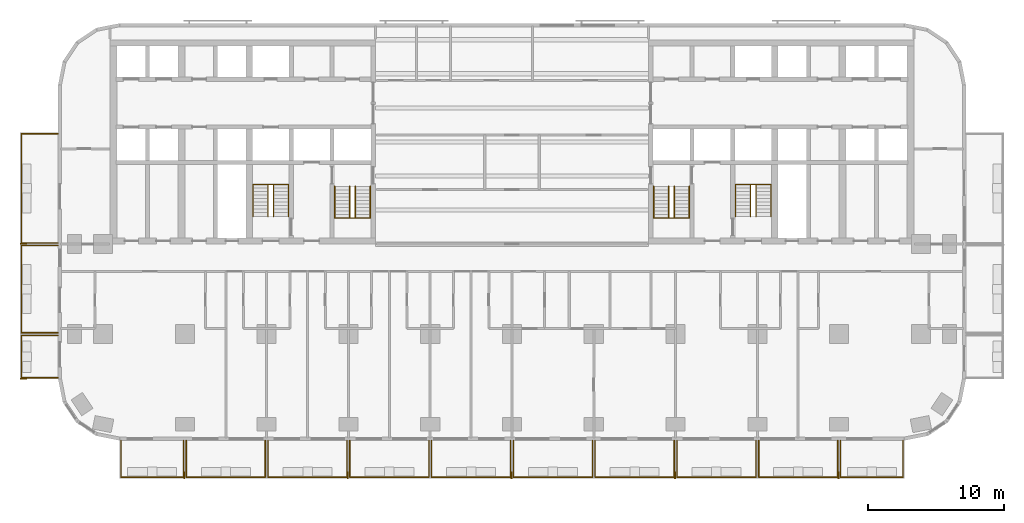
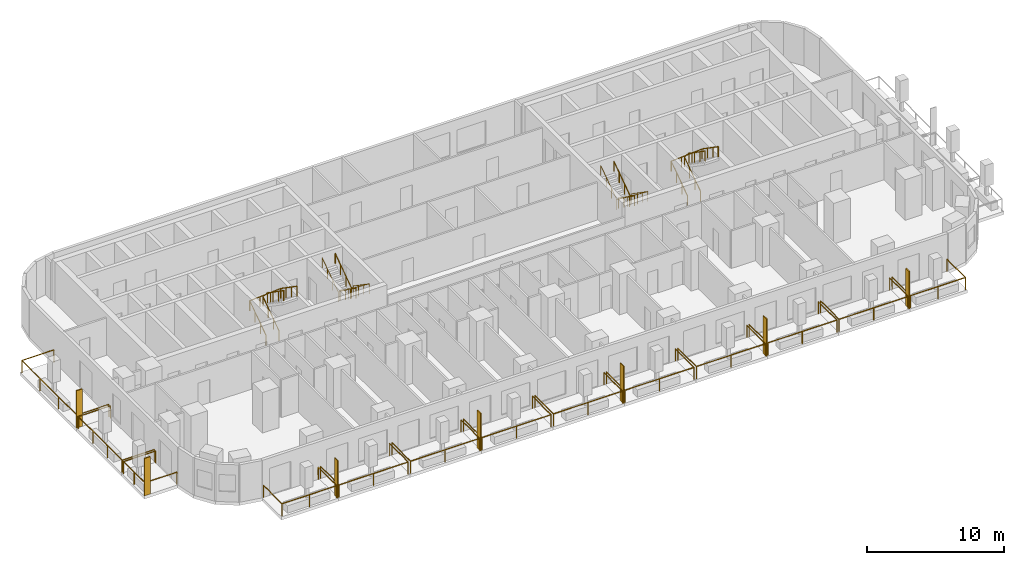
# One storey, part 11 of 13: 21 railings, 7 shading devices.
"""IFC4 building model written with IfcOpenShell, lengths in metres."""

from ifc_helpers import new_model, si_unit, direction, frame, origin, origin_2d, place, context, subcontext, project, spatial, rectangle, circle, extrude, material, layer, layer_set, type_object, element, save


model = new_model("IFC4")

# Units and contexts
model_context = context("Model", 3, precision=1e-05, world=origin(), true_north=direction((0.0, 1.0)))
body_context = subcontext(model_context, "Body", "Model", "MODEL_VIEW")
ifc_project = project(units=[si_unit("LENGTHUNIT", "METRE"), si_unit("AREAUNIT", "SQUARE_METRE"), si_unit("VOLUMEUNIT", "CUBIC_METRE"), si_unit("PLANEANGLEUNIT", "RADIAN"), si_unit("MASSUNIT", "GRAM", prefix="KILO")], contexts=[model_context])

# Site, building, storey
site_placement = place(None, origin())
site = spatial("IfcSite", under=ifc_project, at=site_placement, CompositionType="ELEMENT")
building_placement = place(site_placement, origin())
building = spatial("IfcBuilding", under=site, at=building_placement, Name="Torana Hotel and Residences", CompositionType="ELEMENT")
storey_placement = place(building_placement, frame((0.0, 0.0, 60.0)))
storey = spatial("IfcBuildingStorey", under=building, at=storey_placement, Name="L14", CompositionType="ELEMENT", Elevation=60.0)

# Shading devices
ifc_material_1 = material(Name="Black powder coated aluminium", Category="aluminium")
ifc_layer = layer(ifc_material_1, 0.080078125)
ifc_layer_set = layer_set([ifc_layer], Name="FN1 VERTICAL FIN 500x80")
shading_device_type = type_object("IfcShadingDeviceType", Name="FN1 VERTICAL FIN 500x80", PredefinedType="USERDEFINED", material=ifc_layer_set)
for number, where, z_axis, x_axis, name in (
    (1, (-24.0400390625, -31.949951171875, 0.0), (0.0, 0.0, 1.0), (-1.0, 0.0, 0.0), "Fin 01"),
    (2, (-12.0400390625, -31.949951171875, 0.0), (0.0, 0.0, 1.0), (-1.0, 0.0, 0.0), "Fin 03"),
    (3, (-0.0400390625, -31.949951171875, 0.0), (0.0, 0.0, 1.0), (-1.0, 0.0, 0.0), "Fin 05"),
    (4, (11.9599609375, -31.949951171875, 0.0), (0.0, 0.0, 1.0), (-1.0, 0.0, 0.0), "Fin 07"),
    (5, (23.9599609375, -31.949951171875, 0.0), (0.0, 0.0, 1.0), (-1.0, 0.0, 0.0), "Fin 09"),
    (6, (-35.85009765625, -24.860107421875, 0.0), (0.0, 0.0, 1.0), (0.0, 1.0, 0.0), "Fin 11"),
    (7, (-35.85009765625, -14.9599609375, 0.0), (0.0, 0.0, 1.0), (0.0, 1.0, 0.0), "Fin 13"),
):
    element("IfcShadingDevice", number, at=place(storey_placement, frame(where, z_axis=z_axis, x_axis=x_axis)), inside=storey, type_object=shading_device_type, Name=name, ObjectType="FIN", PredefinedType="USERDEFINED", context=body_context, shape_type="SweptSolid", body=[
        extrude(rectangle(XDim=0.080078125, YDim=0.5, at=origin_2d()), origin(), (0.0, 0.0, 1.0), 3.320068359375),
    ])

# Railings
ifc_material_2 = material(Name="Laminated glass balustrade with black handrail", Category="glass")
railing_type_1 = type_object("IfcRailingType", Name="GR1 BALCONY GUARD 1100 GLASS", PredefinedType="GUARDRAIL", material=ifc_material_2)
railing_1_placement = place(storey_placement, frame((-24.10009765625, -29.39990234375, 0.0)))
element("IfcRailing", 8, at=railing_1_placement, inside=storey, type_object=railing_type_1, Name="Balcony guard 01", PredefinedType="GUARDRAIL", context=body_context, shape_type="SweptSolid", body=[
    extrude(circle(Radius=0.02392578125, at=origin_2d()), frame((0.0, 0.0, 1.076171875), z_axis=(0.0, -1.0, 0.0), x_axis=(1.0, 0.0, 0.0)), (0.0, 0.0, 1.0), 2.7001953125),
    extrude(circle(Radius=0.02392578125, at=origin_2d()), frame((0.0, -2.7001953125, 1.076171875), z_axis=(-1.0, 0.0, 0.0), x_axis=(0.0, -1.0, 0.0)), (0.0, 0.0, 1.0), 4.599853515625),
    extrude(circle(Radius=0.02392578125, at=origin_2d()), frame((-4.599853515625, -2.7001953125, 1.076171875), z_axis=(0.0, 1.0, 0.0), x_axis=(-1.0, 0.0, 0.0)), (0.0, 0.0, 1.0), 2.7001953125),
    extrude(circle(Radius=0.02099609375, at=origin_2d()), origin(), (0.0, 0.0, 1.0), 1.052001953125),
    extrude(circle(Radius=0.02099609375, at=origin_2d()), frame((0.0, -2.7001953125, 0.0)), (0.0, 0.0, 1.0), 1.052001953125),
    extrude(circle(Radius=0.02099609375, at=origin_2d()), frame((-2.2998046875, -2.7001953125, 0.0)), (0.0, 0.0, 1.0), 1.052001953125),
    extrude(circle(Radius=0.02099609375, at=origin_2d()), frame((-4.599853515625, -2.7001953125, 0.0)), (0.0, 0.0, 1.0), 1.052001953125),
    extrude(circle(Radius=0.02099609375, at=origin_2d()), frame((-4.599853515625, 0.0, 0.0)), (0.0, 0.0, 1.0), 1.052001953125),
])
for number, where, name in (
    (9, (-18.10009765625, -29.39990234375, 0.0), "Balcony guard 02"),
    (10, (-12.10009765625, -29.39990234375, 0.0), "Balcony guard 03"),
    (11, (-6.10009765625, -29.39990234375, 0.0), "Balcony guard 04"),
    (12, (-0.10009765625, -29.39990234375, 0.0), "Balcony guard 05"),
    (13, (5.89990234375, -29.39990234375, 0.0), "Balcony guard 06"),
    (14, (11.89990234375, -29.39990234375, 0.0), "Balcony guard 07"),
    (15, (17.89990234375, -29.39990234375, 0.0), "Balcony guard 08"),
    (16, (23.89990234375, -29.39990234375, 0.0), "Balcony guard 09"),
):
    element("IfcRailing", number, at=place(storey_placement, frame(where)), inside=storey, type_object=railing_type_1, Name=name, PredefinedType="GUARDRAIL", context=body_context, shape_type="SweptSolid", body=[
        extrude(circle(Radius=0.02392578125, at=origin_2d()), frame((0.0, 0.0, 1.076171875), z_axis=(0.0, -1.0, 0.0), x_axis=(1.0, 0.0, 0.0)), (0.0, 0.0, 1.0), 2.7001953125),
        extrude(circle(Radius=0.02392578125, at=origin_2d()), frame((0.0, -2.7001953125, 1.076171875), z_axis=(-1.0, 0.0, 0.0), x_axis=(0.0, -1.0, 0.0)), (0.0, 0.0, 1.0), 5.7998046875),
        extrude(circle(Radius=0.02392578125, at=origin_2d()), frame((-5.7998046875, -2.7001953125, 1.076171875), z_axis=(0.0, 1.0, 0.0), x_axis=(-1.0, 0.0, 0.0)), (0.0, 0.0, 1.0), 2.7001953125),
        extrude(circle(Radius=0.02099609375, at=origin_2d()), origin(), (0.0, 0.0, 1.0), 1.052001953125),
        extrude(circle(Radius=0.02099609375, at=origin_2d()), frame((0.0, -2.7001953125, 0.0)), (0.0, 0.0, 1.0), 1.052001953125),
        extrude(circle(Radius=0.02099609375, at=origin_2d()), frame((-2.89990234375, -2.7001953125, 0.0)), (0.0, 0.0, 1.0), 1.052001953125),
        extrude(circle(Radius=0.02099609375, at=origin_2d()), frame((-5.7998046875, -2.7001953125, 0.0)), (0.0, 0.0, 1.0), 1.052001953125),
        extrude(circle(Radius=0.02099609375, at=origin_2d()), frame((-5.7998046875, 0.0, 0.0)), (0.0, 0.0, 1.0), 1.052001953125),
    ])
railing_2_placement = place(storey_placement, frame((28.699951171875, -29.39990234375, 0.0)))
element("IfcRailing", 17, at=railing_2_placement, inside=storey, type_object=railing_type_1, Name="Balcony guard 10", PredefinedType="GUARDRAIL", context=body_context, shape_type="SweptSolid", body=[
    extrude(circle(Radius=0.02392578125, at=origin_2d()), frame((0.0, 0.0, 1.076171875), z_axis=(0.0, -1.0, 0.0), x_axis=(1.0, 0.0, 0.0)), (0.0, 0.0, 1.0), 2.7001953125),
    extrude(circle(Radius=0.02392578125, at=origin_2d()), frame((0.0, -2.7001953125, 1.076171875), z_axis=(-1.0, 0.0, 0.0), x_axis=(0.0, -1.0, 0.0)), (0.0, 0.0, 1.0), 4.599853515625),
    extrude(circle(Radius=0.02392578125, at=origin_2d()), frame((-4.599853515625, -2.7001953125, 1.076171875), z_axis=(0.0, 1.0, 0.0), x_axis=(-1.0, 0.0, 0.0)), (0.0, 0.0, 1.0), 2.7001953125),
    extrude(circle(Radius=0.02099609375, at=origin_2d()), origin(), (0.0, 0.0, 1.0), 1.052001953125),
    extrude(circle(Radius=0.02099609375, at=origin_2d()), frame((0.0, -2.7001953125, 0.0)), (0.0, 0.0, 1.0), 1.052001953125),
    extrude(circle(Radius=0.02099609375, at=origin_2d()), frame((-2.2998046875, -2.7001953125, 0.0)), (0.0, 0.0, 1.0), 1.052001953125),
    extrude(circle(Radius=0.02099609375, at=origin_2d()), frame((-4.599853515625, -2.7001953125, 0.0)), (0.0, 0.0, 1.0), 1.052001953125),
    extrude(circle(Radius=0.02099609375, at=origin_2d()), frame((-4.599853515625, 0.0, 0.0)), (0.0, 0.0, 1.0), 1.052001953125),
])
railing_3_placement = place(storey_placement, frame((-33.300048828125, -24.800048828125, 0.0)))
element("IfcRailing", 18, at=railing_3_placement, inside=storey, type_object=railing_type_1, Name="Balcony guard 11", PredefinedType="GUARDRAIL", context=body_context, shape_type="SweptSolid", body=[
    extrude(circle(Radius=0.02392578125, at=origin_2d()), frame((0.0, 0.0, 1.076171875), z_axis=(-1.0, 0.0, 0.0), x_axis=(0.0, -1.0, 0.0)), (0.0, 0.0, 1.0), 2.699951171875),
    extrude(circle(Radius=0.02392578125, at=origin_2d()), frame((-2.699951171875, 0.0, 1.076171875), z_axis=(0.0, 1.0, 0.0), x_axis=(-1.0, 0.0, 0.0)), (0.0, 0.0, 1.0), 3.10009765625),
    extrude(circle(Radius=0.02392578125, at=origin_2d()), frame((-2.699951171875, 3.10009765625, 1.076171875), z_axis=(1.0, 0.0, 0.0), x_axis=(0.0, 1.0, 0.0)), (0.0, 0.0, 1.0), 2.699951171875),
    extrude(circle(Radius=0.02099609375, at=origin_2d()), origin(), (0.0, 0.0, 1.0), 1.052001953125),
    extrude(circle(Radius=0.02099609375, at=origin_2d()), frame((-2.699951171875, 0.0, 0.0)), (0.0, 0.0, 1.0), 1.052001953125),
    extrude(circle(Radius=0.02099609375, at=origin_2d()), frame((-2.699951171875, 1.550048828125, 0.0)), (0.0, 0.0, 1.0), 1.052001953125),
    extrude(circle(Radius=0.02099609375, at=origin_2d()), frame((-2.699951171875, 3.10009765625, 0.0)), (0.0, 0.0, 1.0), 1.052001953125),
    extrude(circle(Radius=0.02099609375, at=origin_2d()), frame((0.0, 3.10009765625, 0.0)), (0.0, 0.0, 1.0), 1.052001953125),
])
railing_4_placement = place(storey_placement, frame((-33.300048828125, -21.5, 0.0)))
element("IfcRailing", 19, at=railing_4_placement, inside=storey, type_object=railing_type_1, Name="Balcony guard 12", PredefinedType="GUARDRAIL", context=body_context, shape_type="SweptSolid", body=[
    extrude(circle(Radius=0.02392578125, at=origin_2d()), frame((0.0, 0.0, 1.076171875), z_axis=(-1.0, 0.0, 0.0), x_axis=(0.0, -1.0, 0.0)), (0.0, 0.0, 1.0), 2.699951171875),
    extrude(circle(Radius=0.02392578125, at=origin_2d()), frame((-2.699951171875, 0.0, 1.076171875), z_axis=(0.0, 1.0, 0.0), x_axis=(-1.0, 0.0, 0.0)), (0.0, 0.0, 1.0), 6.39990234375),
    extrude(circle(Radius=0.02392578125, at=origin_2d()), frame((-2.699951171875, 6.39990234375, 1.076171875), z_axis=(1.0, 0.0, 0.0), x_axis=(0.0, 1.0, 0.0)), (0.0, 0.0, 1.0), 2.699951171875),
    extrude(circle(Radius=0.02099609375, at=origin_2d()), origin(), (0.0, 0.0, 1.0), 1.052001953125),
    extrude(circle(Radius=0.02099609375, at=origin_2d()), frame((-2.699951171875, 0.0, 0.0)), (0.0, 0.0, 1.0), 1.052001953125),
    extrude(circle(Radius=0.02099609375, at=origin_2d()), frame((-2.699951171875, 2.13330078125, 0.0)), (0.0, 0.0, 1.0), 1.052001953125),
    extrude(circle(Radius=0.02099609375, at=origin_2d()), frame((-2.699951171875, 4.2666015625, 0.0)), (0.0, 0.0, 1.0), 1.052001953125),
    extrude(circle(Radius=0.02099609375, at=origin_2d()), frame((-2.699951171875, 6.39990234375, 0.0)), (0.0, 0.0, 1.0), 1.052001953125),
    extrude(circle(Radius=0.02099609375, at=origin_2d()), frame((0.0, 6.39990234375, 0.0)), (0.0, 0.0, 1.0), 1.052001953125),
])
railing_5_placement = place(storey_placement, frame((-33.300048828125, -14.89990234375, 0.0)))
element("IfcRailing", 20, at=railing_5_placement, inside=storey, type_object=railing_type_1, Name="Balcony guard 13", PredefinedType="GUARDRAIL", context=body_context, shape_type="SweptSolid", body=[
    extrude(circle(Radius=0.02392578125, at=origin_2d()), frame((0.0, 0.0, 1.076171875), z_axis=(-1.0, 0.0, 0.0), x_axis=(0.0, -1.0, 0.0)), (0.0, 0.0, 1.0), 2.699951171875),
    extrude(circle(Radius=0.02392578125, at=origin_2d()), frame((-2.699951171875, 0.0, 1.076171875), z_axis=(0.0, 1.0, 0.0), x_axis=(-1.0, 0.0, 0.0)), (0.0, 0.0, 1.0), 8.0),
    extrude(circle(Radius=0.02392578125, at=origin_2d()), frame((-2.699951171875, 8.0, 1.076171875), z_axis=(1.0, 0.0, 0.0), x_axis=(0.0, 1.0, 0.0)), (0.0, 0.0, 1.0), 2.699951171875),
    extrude(circle(Radius=0.02099609375, at=origin_2d()), origin(), (0.0, 0.0, 1.0), 1.052001953125),
    extrude(circle(Radius=0.02099609375, at=origin_2d()), frame((-2.699951171875, 0.0, 0.0)), (0.0, 0.0, 1.0), 1.052001953125),
    extrude(circle(Radius=0.02099609375, at=origin_2d()), frame((-2.699951171875, 2.666748046875, 0.0)), (0.0, 0.0, 1.0), 1.052001953125),
    extrude(circle(Radius=0.02099609375, at=origin_2d()), frame((-2.699951171875, 5.333251953125, 0.0)), (0.0, 0.0, 1.0), 1.052001953125),
    extrude(circle(Radius=0.02099609375, at=origin_2d()), frame((-2.699951171875, 8.0, 0.0)), (0.0, 0.0, 1.0), 1.052001953125),
    extrude(circle(Radius=0.02099609375, at=origin_2d()), frame((0.0, 8.0, 0.0)), (0.0, 0.0, 1.0), 1.052001953125),
])
ifc_material_3 = material(Name="Stainless steel 316", Category="steel")
railing_type_2 = type_object("IfcRailingType", Name="STAIR HANDRAIL HR1 900", PredefinedType="HANDRAIL", material=ifc_material_3)
railing_6_placement = place(storey_placement, frame((-10.39990234375, -10.75, 0.179931640625)))
element("IfcRailing", 21, at=railing_6_placement, inside=storey, type_object=railing_type_2, Name="Handrail ST1 L14 O1", PredefinedType="HANDRAIL", context=body_context, shape_type="SweptSolid", body=[
    extrude(circle(Radius=0.02392578125, at=origin_2d()), frame((0.0, 0.0, 0.8759765625), z_axis=(0.0, -0.822182927502, 0.569223360136), x_axis=(1.0, 0.0, 0.0)), (0.0, 0.0, 1.0), 2.84619140625),
    extrude(circle(Radius=0.02392578125, at=origin_2d()), frame((0.0, -2.340087890625, 2.49609375), z_axis=(-0.997614115953, 0.0, 0.069036770278), x_axis=(0.0, -1.0, 0.0)), (0.0, 0.0, 1.0), 2.606201171875),
    extrude(circle(Radius=0.02392578125, at=origin_2d()), frame((-2.60009765625, -2.340087890625, 2.67578125), z_axis=(0.0, 0.822182927502, 0.569223360136), x_axis=(-1.0, 0.0, 0.0)), (0.0, 0.0, 1.0), 2.84619140625),
    extrude(circle(Radius=0.02099609375, at=origin_2d()), origin(), (0.0, 0.0, 1.0), 0.851806640625),
    extrude(circle(Radius=0.02099609375, at=origin_2d()), frame((0.0, -0.780029296875, 0.5400390625)), (0.0, 0.0, 1.0), 0.851806640625),
    extrude(circle(Radius=0.02099609375, at=origin_2d()), frame((0.0, -1.56005859375, 1.080078125)), (0.0, 0.0, 1.0), 0.851806640625),
    extrude(circle(Radius=0.02099609375, at=origin_2d()), frame((0.0, -2.340087890625, 1.6201171875)), (0.0, 0.0, 1.0), 0.851806640625),
    extrude(circle(Radius=0.02099609375, at=origin_2d()), frame((-0.86669921875, -2.340087890625, 1.68017578125)), (0.0, 0.0, 1.0), 0.851806640625),
    extrude(circle(Radius=0.02099609375, at=origin_2d()), frame((-1.7333984375, -2.340087890625, 1.739990234375)), (0.0, 0.0, 1.0), 0.851806640625),
    extrude(circle(Radius=0.02099609375, at=origin_2d()), frame((-2.60009765625, -2.340087890625, 1.800048828125)), (0.0, 0.0, 1.0), 0.851806640625),
    extrude(circle(Radius=0.02099609375, at=origin_2d()), frame((-2.60009765625, -1.56005859375, 2.340087890625)), (0.0, 0.0, 1.0), 0.851806640625),
    extrude(circle(Radius=0.02099609375, at=origin_2d()), frame((-2.60009765625, -0.780029296875, 2.880126953125)), (0.0, 0.0, 1.0), 0.851806640625),
    extrude(circle(Radius=0.02099609375, at=origin_2d()), frame((-2.60009765625, 0.0, 3.420166015625)), (0.0, 0.0, 1.0), 0.851806640625),
])
railing_7_placement = place(storey_placement, frame((-11.5, -10.75, 0.179931640625)))
element("IfcRailing", 22, at=railing_7_placement, inside=storey, type_object=railing_type_2, Name="Handrail ST1 L14 I1", PredefinedType="HANDRAIL", context=body_context, shape_type="SweptSolid", body=[
    extrude(circle(Radius=0.02392578125, at=origin_2d()), frame((0.0, 0.0, 0.8759765625), z_axis=(0.0, -0.822182927502, 0.569223360136), x_axis=(1.0, 0.0, 0.0)), (0.0, 0.0, 1.0), 2.84619140625),
    extrude(circle(Radius=0.02392578125, at=origin_2d()), frame((0.0, -2.340087890625, 2.49609375), z_axis=(-0.911942338396, 0.0, 0.410318378143), x_axis=(0.0, -1.0, 0.0)), (0.0, 0.0, 1.0), 0.4384765625),
    extrude(circle(Radius=0.02392578125, at=origin_2d()), frame((-0.39990234375, -2.340087890625, 2.67578125), z_axis=(0.0, 0.822182927502, 0.569223360136), x_axis=(-1.0, 0.0, 0.0)), (0.0, 0.0, 1.0), 2.84619140625),
    extrude(circle(Radius=0.02099609375, at=origin_2d()), origin(), (0.0, 0.0, 1.0), 0.851806640625),
    extrude(circle(Radius=0.02099609375, at=origin_2d()), frame((0.0, -0.780029296875, 0.5400390625)), (0.0, 0.0, 1.0), 0.851806640625),
    extrude(circle(Radius=0.02099609375, at=origin_2d()), frame((0.0, -1.56005859375, 1.080078125)), (0.0, 0.0, 1.0), 0.851806640625),
    extrude(circle(Radius=0.02099609375, at=origin_2d()), frame((0.0, -2.340087890625, 1.6201171875)), (0.0, 0.0, 1.0), 0.851806640625),
    extrude(circle(Radius=0.02099609375, at=origin_2d()), frame((-0.39990234375, -2.340087890625, 1.800048828125)), (0.0, 0.0, 1.0), 0.851806640625),
    extrude(circle(Radius=0.02099609375, at=origin_2d()), frame((-0.39990234375, -1.56005859375, 2.340087890625)), (0.0, 0.0, 1.0), 0.851806640625),
    extrude(circle(Radius=0.02099609375, at=origin_2d()), frame((-0.39990234375, -0.780029296875, 2.880126953125)), (0.0, 0.0, 1.0), 0.851806640625),
    extrude(circle(Radius=0.02099609375, at=origin_2d()), frame((-0.39990234375, 0.0, 3.420166015625)), (0.0, 0.0, 1.0), 0.851806640625),
])
railing_8_placement = place(storey_placement, frame((-19.0, -12.949951171875, 0.179931640625)))
element("IfcRailing", 23, at=railing_8_placement, inside=storey, type_object=railing_type_2, Name="Handrail ST2 L14 O1", PredefinedType="HANDRAIL", context=body_context, shape_type="SweptSolid", body=[
    extrude(circle(Radius=0.02392578125, at=origin_2d()), frame((0.0, 0.0, 0.8759765625), z_axis=(0.0, 0.822155131156, 0.569263506923), x_axis=(-1.0, 0.0, 0.0)), (0.0, 0.0, 1.0), 2.845947265625),
    extrude(circle(Radius=0.02392578125, at=origin_2d()), frame((0.0, 2.33984375, 2.49609375), z_axis=(0.997614115953, 0.0, 0.069036770278), x_axis=(0.0, 1.0, 0.0)), (0.0, 0.0, 1.0), 2.606201171875),
    extrude(circle(Radius=0.02392578125, at=origin_2d()), frame((2.60009765625, 2.33984375, 2.67578125), z_axis=(0.0, -0.822155131156, 0.569263506923), x_axis=(1.0, 0.0, 0.0)), (0.0, 0.0, 1.0), 2.845947265625),
    extrude(circle(Radius=0.02099609375, at=origin_2d()), origin(), (0.0, 0.0, 1.0), 0.851806640625),
    extrude(circle(Radius=0.02099609375, at=origin_2d()), frame((0.0, 0.780029296875, 0.5400390625)), (0.0, 0.0, 1.0), 0.851806640625),
    extrude(circle(Radius=0.02099609375, at=origin_2d()), frame((0.0, 1.559814453125, 1.080078125)), (0.0, 0.0, 1.0), 0.851806640625),
    extrude(circle(Radius=0.02099609375, at=origin_2d()), frame((0.0, 2.33984375, 1.6201171875)), (0.0, 0.0, 1.0), 0.851806640625),
    extrude(circle(Radius=0.02099609375, at=origin_2d()), frame((0.86669921875, 2.33984375, 1.68017578125)), (0.0, 0.0, 1.0), 0.851806640625),
    extrude(circle(Radius=0.02099609375, at=origin_2d()), frame((1.7333984375, 2.33984375, 1.739990234375)), (0.0, 0.0, 1.0), 0.851806640625),
    extrude(circle(Radius=0.02099609375, at=origin_2d()), frame((2.60009765625, 2.33984375, 1.800048828125)), (0.0, 0.0, 1.0), 0.851806640625),
    extrude(circle(Radius=0.02099609375, at=origin_2d()), frame((2.60009765625, 1.559814453125, 2.340087890625)), (0.0, 0.0, 1.0), 0.851806640625),
    extrude(circle(Radius=0.02099609375, at=origin_2d()), frame((2.60009765625, 0.780029296875, 2.880126953125)), (0.0, 0.0, 1.0), 0.851806640625),
    extrude(circle(Radius=0.02099609375, at=origin_2d()), frame((2.60009765625, 0.0, 3.420166015625)), (0.0, 0.0, 1.0), 0.851806640625),
])
railing_9_placement = place(storey_placement, frame((-17.89990234375, -12.949951171875, 0.179931640625)))
element("IfcRailing", 24, at=railing_9_placement, inside=storey, type_object=railing_type_2, Name="Handrail ST2 L14 I1", PredefinedType="HANDRAIL", context=body_context, shape_type="SweptSolid", body=[
    extrude(circle(Radius=0.02392578125, at=origin_2d()), frame((0.0, 0.0, 0.8759765625), z_axis=(0.0, 0.822155131156, 0.569263506923), x_axis=(-1.0, 0.0, 0.0)), (0.0, 0.0, 1.0), 2.845947265625),
    extrude(circle(Radius=0.02392578125, at=origin_2d()), frame((0.0, 2.33984375, 2.49609375), z_axis=(0.911942338396, 0.0, 0.410318378143), x_axis=(0.0, 1.0, 0.0)), (0.0, 0.0, 1.0), 0.4384765625),
    extrude(circle(Radius=0.02392578125, at=origin_2d()), frame((0.39990234375, 2.33984375, 2.67578125), z_axis=(0.0, -0.822155131156, 0.569263506923), x_axis=(1.0, 0.0, 0.0)), (0.0, 0.0, 1.0), 2.845947265625),
    extrude(circle(Radius=0.02099609375, at=origin_2d()), origin(), (0.0, 0.0, 1.0), 0.851806640625),
    extrude(circle(Radius=0.02099609375, at=origin_2d()), frame((0.0, 0.780029296875, 0.5400390625)), (0.0, 0.0, 1.0), 0.851806640625),
    extrude(circle(Radius=0.02099609375, at=origin_2d()), frame((0.0, 1.559814453125, 1.080078125)), (0.0, 0.0, 1.0), 0.851806640625),
    extrude(circle(Radius=0.02099609375, at=origin_2d()), frame((0.0, 2.33984375, 1.6201171875)), (0.0, 0.0, 1.0), 0.851806640625),
    extrude(circle(Radius=0.02099609375, at=origin_2d()), frame((0.39990234375, 2.33984375, 1.800048828125)), (0.0, 0.0, 1.0), 0.851806640625),
    extrude(circle(Radius=0.02099609375, at=origin_2d()), frame((0.39990234375, 1.559814453125, 2.340087890625)), (0.0, 0.0, 1.0), 0.851806640625),
    extrude(circle(Radius=0.02099609375, at=origin_2d()), frame((0.39990234375, 0.780029296875, 2.880126953125)), (0.0, 0.0, 1.0), 0.851806640625),
    extrude(circle(Radius=0.02099609375, at=origin_2d()), frame((0.39990234375, 0.0, 3.420166015625)), (0.0, 0.0, 1.0), 0.851806640625),
])
railing_10_placement = place(storey_placement, frame((13.0, -10.75, 0.179931640625)))
element("IfcRailing", 25, at=railing_10_placement, inside=storey, type_object=railing_type_2, Name="Handrail ST3 L14 O1", PredefinedType="HANDRAIL", context=body_context, shape_type="SweptSolid", body=[
    extrude(circle(Radius=0.02392578125, at=origin_2d()), frame((0.0, 0.0, 0.8759765625), z_axis=(0.0, -0.822182927502, 0.569223360136), x_axis=(1.0, 0.0, 0.0)), (0.0, 0.0, 1.0), 2.84619140625),
    extrude(circle(Radius=0.02392578125, at=origin_2d()), frame((0.0, -2.340087890625, 2.49609375), z_axis=(-0.997614115953, 0.0, 0.069036770278), x_axis=(0.0, -1.0, 0.0)), (0.0, 0.0, 1.0), 2.606201171875),
    extrude(circle(Radius=0.02392578125, at=origin_2d()), frame((-2.60009765625, -2.340087890625, 2.67578125), z_axis=(0.0, 0.822182927502, 0.569223360136), x_axis=(-1.0, 0.0, 0.0)), (0.0, 0.0, 1.0), 2.84619140625),
    extrude(circle(Radius=0.02099609375, at=origin_2d()), origin(), (0.0, 0.0, 1.0), 0.851806640625),
    extrude(circle(Radius=0.02099609375, at=origin_2d()), frame((0.0, -0.780029296875, 0.5400390625)), (0.0, 0.0, 1.0), 0.851806640625),
    extrude(circle(Radius=0.02099609375, at=origin_2d()), frame((0.0, -1.56005859375, 1.080078125)), (0.0, 0.0, 1.0), 0.851806640625),
    extrude(circle(Radius=0.02099609375, at=origin_2d()), frame((0.0, -2.340087890625, 1.6201171875)), (0.0, 0.0, 1.0), 0.851806640625),
    extrude(circle(Radius=0.02099609375, at=origin_2d()), frame((-0.86669921875, -2.340087890625, 1.68017578125)), (0.0, 0.0, 1.0), 0.851806640625),
    extrude(circle(Radius=0.02099609375, at=origin_2d()), frame((-1.7333984375, -2.340087890625, 1.739990234375)), (0.0, 0.0, 1.0), 0.851806640625),
    extrude(circle(Radius=0.02099609375, at=origin_2d()), frame((-2.60009765625, -2.340087890625, 1.800048828125)), (0.0, 0.0, 1.0), 0.851806640625),
    extrude(circle(Radius=0.02099609375, at=origin_2d()), frame((-2.60009765625, -1.56005859375, 2.340087890625)), (0.0, 0.0, 1.0), 0.851806640625),
    extrude(circle(Radius=0.02099609375, at=origin_2d()), frame((-2.60009765625, -0.780029296875, 2.880126953125)), (0.0, 0.0, 1.0), 0.851806640625),
    extrude(circle(Radius=0.02099609375, at=origin_2d()), frame((-2.60009765625, 0.0, 3.420166015625)), (0.0, 0.0, 1.0), 0.851806640625),
])
railing_11_placement = place(storey_placement, frame((11.89990234375, -10.75, 0.179931640625)))
element("IfcRailing", 26, at=railing_11_placement, inside=storey, type_object=railing_type_2, Name="Handrail ST3 L14 I1", PredefinedType="HANDRAIL", context=body_context, shape_type="SweptSolid", body=[
    extrude(circle(Radius=0.02392578125, at=origin_2d()), frame((0.0, 0.0, 0.8759765625), z_axis=(0.0, -0.822182927502, 0.569223360136), x_axis=(1.0, 0.0, 0.0)), (0.0, 0.0, 1.0), 2.84619140625),
    extrude(circle(Radius=0.02392578125, at=origin_2d()), frame((0.0, -2.340087890625, 2.49609375), z_axis=(-0.911942338396, 0.0, 0.410318378143), x_axis=(0.0, -1.0, 0.0)), (0.0, 0.0, 1.0), 0.4384765625),
    extrude(circle(Radius=0.02392578125, at=origin_2d()), frame((-0.39990234375, -2.340087890625, 2.67578125), z_axis=(0.0, 0.822182927502, 0.569223360136), x_axis=(-1.0, 0.0, 0.0)), (0.0, 0.0, 1.0), 2.84619140625),
    extrude(circle(Radius=0.02099609375, at=origin_2d()), origin(), (0.0, 0.0, 1.0), 0.851806640625),
    extrude(circle(Radius=0.02099609375, at=origin_2d()), frame((0.0, -0.780029296875, 0.5400390625)), (0.0, 0.0, 1.0), 0.851806640625),
    extrude(circle(Radius=0.02099609375, at=origin_2d()), frame((0.0, -1.56005859375, 1.080078125)), (0.0, 0.0, 1.0), 0.851806640625),
    extrude(circle(Radius=0.02099609375, at=origin_2d()), frame((0.0, -2.340087890625, 1.6201171875)), (0.0, 0.0, 1.0), 0.851806640625),
    extrude(circle(Radius=0.02099609375, at=origin_2d()), frame((-0.39990234375, -2.340087890625, 1.800048828125)), (0.0, 0.0, 1.0), 0.851806640625),
    extrude(circle(Radius=0.02099609375, at=origin_2d()), frame((-0.39990234375, -1.56005859375, 2.340087890625)), (0.0, 0.0, 1.0), 0.851806640625),
    extrude(circle(Radius=0.02099609375, at=origin_2d()), frame((-0.39990234375, -0.780029296875, 2.880126953125)), (0.0, 0.0, 1.0), 0.851806640625),
    extrude(circle(Radius=0.02099609375, at=origin_2d()), frame((-0.39990234375, 0.0, 3.420166015625)), (0.0, 0.0, 1.0), 0.851806640625),
])
railing_12_placement = place(storey_placement, frame((16.39990234375, -12.949951171875, 0.179931640625)))
element("IfcRailing", 27, at=railing_12_placement, inside=storey, type_object=railing_type_2, Name="Handrail ST4 L14 O1", PredefinedType="HANDRAIL", context=body_context, shape_type="SweptSolid", body=[
    extrude(circle(Radius=0.02392578125, at=origin_2d()), frame((0.0, 0.0, 0.8759765625), z_axis=(0.0, 0.822155131156, 0.569263506923), x_axis=(-1.0, 0.0, 0.0)), (0.0, 0.0, 1.0), 2.845947265625),
    extrude(circle(Radius=0.02392578125, at=origin_2d()), frame((0.0, 2.33984375, 2.49609375), z_axis=(0.997614115953, 0.0, 0.069036770278), x_axis=(0.0, 1.0, 0.0)), (0.0, 0.0, 1.0), 2.606201171875),
    extrude(circle(Radius=0.02392578125, at=origin_2d()), frame((2.60009765625, 2.33984375, 2.67578125), z_axis=(0.0, -0.822155131156, 0.569263506923), x_axis=(1.0, 0.0, 0.0)), (0.0, 0.0, 1.0), 2.845947265625),
    extrude(circle(Radius=0.02099609375, at=origin_2d()), origin(), (0.0, 0.0, 1.0), 0.851806640625),
    extrude(circle(Radius=0.02099609375, at=origin_2d()), frame((0.0, 0.780029296875, 0.5400390625)), (0.0, 0.0, 1.0), 0.851806640625),
    extrude(circle(Radius=0.02099609375, at=origin_2d()), frame((0.0, 1.559814453125, 1.080078125)), (0.0, 0.0, 1.0), 0.851806640625),
    extrude(circle(Radius=0.02099609375, at=origin_2d()), frame((0.0, 2.33984375, 1.6201171875)), (0.0, 0.0, 1.0), 0.851806640625),
    extrude(circle(Radius=0.02099609375, at=origin_2d()), frame((0.86669921875, 2.33984375, 1.68017578125)), (0.0, 0.0, 1.0), 0.851806640625),
    extrude(circle(Radius=0.02099609375, at=origin_2d()), frame((1.7333984375, 2.33984375, 1.739990234375)), (0.0, 0.0, 1.0), 0.851806640625),
    extrude(circle(Radius=0.02099609375, at=origin_2d()), frame((2.60009765625, 2.33984375, 1.800048828125)), (0.0, 0.0, 1.0), 0.851806640625),
    extrude(circle(Radius=0.02099609375, at=origin_2d()), frame((2.60009765625, 1.559814453125, 2.340087890625)), (0.0, 0.0, 1.0), 0.851806640625),
    extrude(circle(Radius=0.02099609375, at=origin_2d()), frame((2.60009765625, 0.780029296875, 2.880126953125)), (0.0, 0.0, 1.0), 0.851806640625),
    extrude(circle(Radius=0.02099609375, at=origin_2d()), frame((2.60009765625, 0.0, 3.420166015625)), (0.0, 0.0, 1.0), 0.851806640625),
])
railing_13_placement = place(storey_placement, frame((17.5, -12.949951171875, 0.179931640625)))
element("IfcRailing", 28, at=railing_13_placement, inside=storey, type_object=railing_type_2, Name="Handrail ST4 L14 I1", PredefinedType="HANDRAIL", context=body_context, shape_type="SweptSolid", body=[
    extrude(circle(Radius=0.02392578125, at=origin_2d()), frame((0.0, 0.0, 0.8759765625), z_axis=(0.0, 0.822155131156, 0.569263506923), x_axis=(-1.0, 0.0, 0.0)), (0.0, 0.0, 1.0), 2.845947265625),
    extrude(circle(Radius=0.02392578125, at=origin_2d()), frame((0.0, 2.33984375, 2.49609375), z_axis=(0.911942338396, 0.0, 0.410318378143), x_axis=(0.0, 1.0, 0.0)), (0.0, 0.0, 1.0), 0.4384765625),
    extrude(circle(Radius=0.02392578125, at=origin_2d()), frame((0.39990234375, 2.33984375, 2.67578125), z_axis=(0.0, -0.822155131156, 0.569263506923), x_axis=(1.0, 0.0, 0.0)), (0.0, 0.0, 1.0), 2.845947265625),
    extrude(circle(Radius=0.02099609375, at=origin_2d()), origin(), (0.0, 0.0, 1.0), 0.851806640625),
    extrude(circle(Radius=0.02099609375, at=origin_2d()), frame((0.0, 0.780029296875, 0.5400390625)), (0.0, 0.0, 1.0), 0.851806640625),
    extrude(circle(Radius=0.02099609375, at=origin_2d()), frame((0.0, 1.559814453125, 1.080078125)), (0.0, 0.0, 1.0), 0.851806640625),
    extrude(circle(Radius=0.02099609375, at=origin_2d()), frame((0.0, 2.33984375, 1.6201171875)), (0.0, 0.0, 1.0), 0.851806640625),
    extrude(circle(Radius=0.02099609375, at=origin_2d()), frame((0.39990234375, 2.33984375, 1.800048828125)), (0.0, 0.0, 1.0), 0.851806640625),
    extrude(circle(Radius=0.02099609375, at=origin_2d()), frame((0.39990234375, 1.559814453125, 2.340087890625)), (0.0, 0.0, 1.0), 0.851806640625),
    extrude(circle(Radius=0.02099609375, at=origin_2d()), frame((0.39990234375, 0.780029296875, 2.880126953125)), (0.0, 0.0, 1.0), 0.851806640625),
    extrude(circle(Radius=0.02099609375, at=origin_2d()), frame((0.39990234375, 0.0, 3.420166015625)), (0.0, 0.0, 1.0), 0.851806640625),
])

save(model, "model.ifc")
